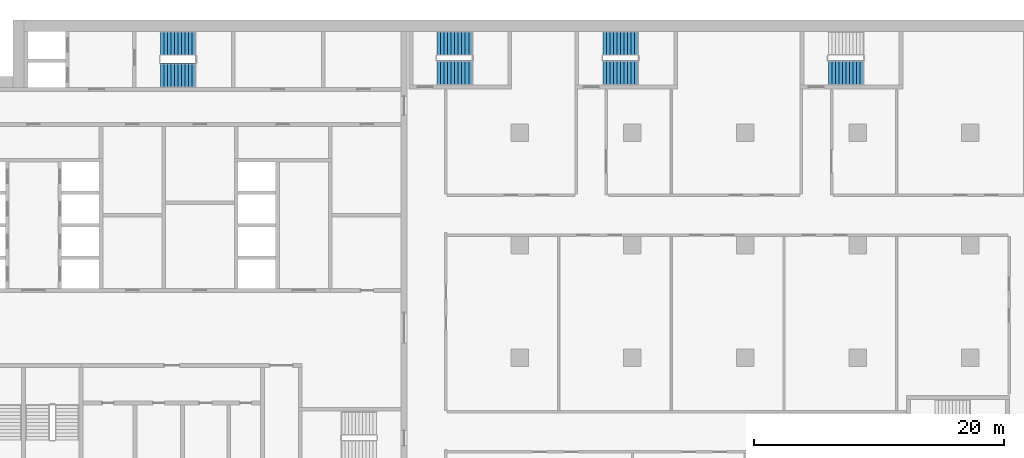
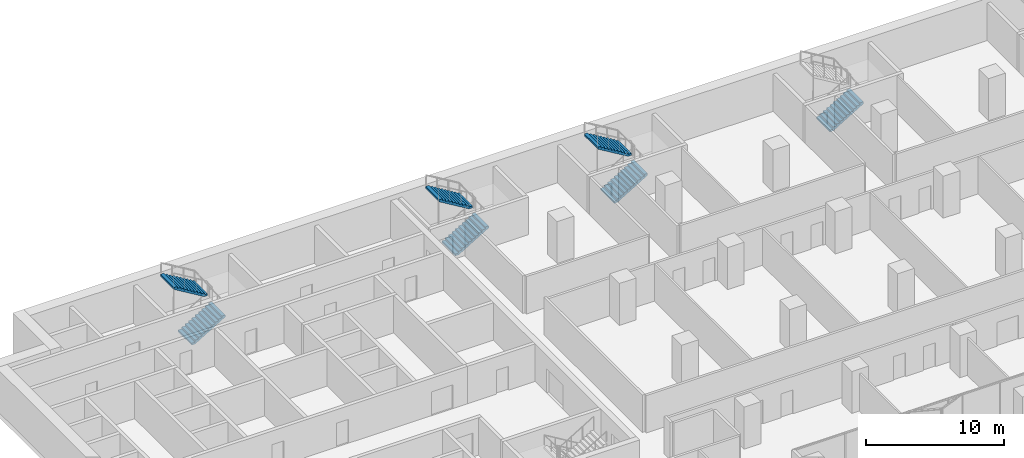
# One storey, part 21 of 28: 7 stair flights, 4 elements without a shape of their own.
"""IFC4 building model written with IfcOpenShell, lengths in metres."""

from ifc_helpers import new_model, si_unit, direction, frame, origin, place, context, subcontext, project, spatial, polyline, outline, extrude, material, type_object, element, aggregate, save


model = new_model("IFC4")

# Units and contexts
model_context = context("Model", 3, precision=1e-05, world=origin(), true_north=direction((0.0, 1.0)))
body_context = subcontext(model_context, "Body", "Model", "MODEL_VIEW")
ifc_project = project(units=[si_unit("LENGTHUNIT", "METRE"), si_unit("AREAUNIT", "SQUARE_METRE"), si_unit("VOLUMEUNIT", "CUBIC_METRE"), si_unit("PLANEANGLEUNIT", "RADIAN"), si_unit("MASSUNIT", "GRAM", prefix="KILO")], contexts=[model_context])

# Site, building, storey
site_placement = place(None, origin())
site = spatial("IfcSite", under=ifc_project, at=site_placement, CompositionType="ELEMENT")
building_placement = place(site_placement, origin())
building = spatial("IfcBuilding", under=site, at=building_placement, Name="Hunhe Ridgeline Campus", CompositionType="ELEMENT")
storey_placement = place(building_placement, frame((0.0, 0.0, 39.5)))
storey = spatial("IfcBuildingStorey", under=building, at=storey_placement, Name="L08", CompositionType="ELEMENT", Elevation=39.5)

# Stair, stair flights
ifc_material = material(Name="Concrete C40", Category="concrete")
stair_type = type_object("IfcStairType", Name="Reinforced concrete dog-leg stair 1950 Concrete C40", PredefinedType="HALF_TURN_STAIR", material=ifc_material)
stair_1_placement = place(storey_placement, origin())
stair_1 = element("IfcStair", 1, at=stair_1_placement, inside=storey, type_object=stair_type, Name="L08 S1", PredefinedType="HALF_TURN_STAIR")
stair_flight_type = type_object("IfcStairFlightType", Name="Reinforced concrete stair flight 1950 Concrete C40", PredefinedType="STRAIGHT", material=ifc_material)
stair_flight_1_placement = place(storey_placement, frame((16.300048828125, 94.574951171875, 0.0), z_axis=(0.0, 0.0, 1.0), x_axis=(1.0, 0.0, 0.0)))
stair_flight_1 = element("IfcStairFlight", 2, at=stair_flight_1_placement, type_object=stair_flight_type, Name="ST1 flight 1", NumberOfRisers=11, NumberOfTreads=10, PredefinedType="STRAIGHT", RiserHeight=0.168181818, TreadLength=0.28, context=body_context, shape_type="SweptSolid", body=[
    extrude(outline(polyline([(0.0, 0.0), (0.0, 0.168212890625), (0.280029296875, 0.168212890625), (0.280029296875, 0.33642578125), (0.56005859375, 0.33642578125), (0.56005859375, 0.504638671875), (0.840087890625, 0.504638671875), (0.840087890625, 0.672607421875), (1.1201171875, 0.672607421875), (1.1201171875, 0.8408203125), (1.39990234375, 0.8408203125), (1.39990234375, 1.009033203125), (1.679931640625, 1.009033203125), (1.679931640625, 1.17724609375), (1.9599609375, 1.17724609375), (1.9599609375, 1.345458984375), (2.239990234375, 1.345458984375), (2.239990234375, 1.513671875), (2.52001953125, 1.513671875), (2.52001953125, 1.681884765625), (2.800048828125, 1.681884765625), (2.800048828125, 1.85009765625), (2.800048828125, 1.5068359375), (0.291015625, 0.0), (0.0, 0.0)])), frame((0.0, 0.97509765625, 0.0), z_axis=(0.0, -1.0, 0.0), x_axis=(1.0, 0.0, 0.0)), (0.0, 0.0, 1.0), 1.949951171875),
    extrude(outline(polyline([(0.030029296875, 0.030029296875), (0.030029296875, 0.13818359375), (0.31005859375, 0.13818359375), (0.31005859375, 0.306396484375), (0.590087890625, 0.306396484375), (0.590087890625, 0.474609375), (0.8701171875, 0.474609375), (0.8701171875, 0.642578125), (1.14990234375, 0.642578125), (1.14990234375, 0.810791015625), (1.429931640625, 0.810791015625), (1.429931640625, 0.97900390625), (1.7099609375, 0.97900390625), (1.7099609375, 1.147216796875), (1.989990234375, 1.147216796875), (1.989990234375, 1.3154296875), (2.27001953125, 1.3154296875), (2.27001953125, 1.483642578125), (2.550048828125, 1.483642578125), (2.550048828125, 1.65185546875), (2.77001953125, 1.65185546875), (2.77001953125, 1.52392578125), (0.28271484375, 0.030029296875), (0.030029296875, 0.030029296875)])), frame((0.0, -0.070068359375, 0.0), z_axis=(0.0, -1.0, 0.0), x_axis=(1.0, 0.0, 0.0)), (0.0, 0.0, 1.0), 0.019775390625),
    extrude(outline(polyline([(0.030029296875, 0.030029296875), (0.030029296875, 0.13818359375), (0.31005859375, 0.13818359375), (0.31005859375, 0.306396484375), (0.590087890625, 0.306396484375), (0.590087890625, 0.474609375), (0.8701171875, 0.474609375), (0.8701171875, 0.642578125), (1.14990234375, 0.642578125), (1.14990234375, 0.810791015625), (1.429931640625, 0.810791015625), (1.429931640625, 0.97900390625), (1.7099609375, 0.97900390625), (1.7099609375, 1.147216796875), (1.989990234375, 1.147216796875), (1.989990234375, 1.3154296875), (2.27001953125, 1.3154296875), (2.27001953125, 1.483642578125), (2.550048828125, 1.483642578125), (2.550048828125, 1.65185546875), (2.77001953125, 1.65185546875), (2.77001953125, 1.52392578125), (0.28271484375, 0.030029296875), (0.030029296875, 0.030029296875)])), frame((0.0, 0.010009765625, 0.0), z_axis=(0.0, -1.0, 0.0), x_axis=(1.0, 0.0, 0.0)), (0.0, 0.0, 1.0), 0.019775390625),
    extrude(outline(polyline([(0.030029296875, 0.030029296875), (0.030029296875, 0.13818359375), (0.31005859375, 0.13818359375), (0.31005859375, 0.306396484375), (0.590087890625, 0.306396484375), (0.590087890625, 0.474609375), (0.8701171875, 0.474609375), (0.8701171875, 0.642578125), (1.14990234375, 0.642578125), (1.14990234375, 0.810791015625), (1.429931640625, 0.810791015625), (1.429931640625, 0.97900390625), (1.7099609375, 0.97900390625), (1.7099609375, 1.147216796875), (1.989990234375, 1.147216796875), (1.989990234375, 1.3154296875), (2.27001953125, 1.3154296875), (2.27001953125, 1.483642578125), (2.550048828125, 1.483642578125), (2.550048828125, 1.65185546875), (2.77001953125, 1.65185546875), (2.77001953125, 1.52392578125), (0.28271484375, 0.030029296875), (0.030029296875, 0.030029296875)])), frame((0.0, 0.090087890625, 0.0), z_axis=(0.0, -1.0, 0.0), x_axis=(1.0, 0.0, 0.0)), (0.0, 0.0, 1.0), 0.019775390625),
])
stair_flight_2_placement = place(storey_placement, frame((19.10009765625, 97.125, 1.85009765625), z_axis=(0.0, 0.0, 1.0), x_axis=(-1.0, 0.0, 0.0)))
stair_flight_2 = element("IfcStairFlight", 3, at=stair_flight_2_placement, type_object=stair_flight_type, Name="ST1 flight 2", NumberOfRisers=11, NumberOfTreads=10, PredefinedType="STRAIGHT", RiserHeight=0.168181818, TreadLength=0.28, context=body_context, shape_type="SweptSolid", body=[
    extrude(outline(polyline([(0.0, 0.0), (0.0, 0.168212890625), (0.280029296875, 0.168212890625), (0.280029296875, 0.33642578125), (0.56005859375, 0.33642578125), (0.56005859375, 0.504638671875), (0.840087890625, 0.504638671875), (0.840087890625, 0.672607421875), (1.1201171875, 0.672607421875), (1.1201171875, 0.8408203125), (1.39990234375, 0.8408203125), (1.39990234375, 1.009033203125), (1.679931640625, 1.009033203125), (1.679931640625, 1.17724609375), (1.9599609375, 1.17724609375), (1.9599609375, 1.345458984375), (2.239990234375, 1.345458984375), (2.239990234375, 1.513671875), (2.52001953125, 1.513671875), (2.52001953125, 1.681884765625), (2.800048828125, 1.681884765625), (2.800048828125, 1.85009765625), (2.800048828125, 1.5068359375), (0.291015625, 0.0), (0.0, 0.0)])), frame((0.0, 0.97509765625, 0.0), z_axis=(0.0, -1.0, 0.0), x_axis=(1.0, 0.0, 0.0)), (0.0, 0.0, 1.0), 1.949951171875),
    extrude(outline(polyline([(0.030029296875, 0.030029296875), (0.030029296875, 0.13818359375), (0.31005859375, 0.13818359375), (0.31005859375, 0.306396484375), (0.590087890625, 0.306396484375), (0.590087890625, 0.474609375), (0.8701171875, 0.474609375), (0.8701171875, 0.642578125), (1.14990234375, 0.642578125), (1.14990234375, 0.810791015625), (1.429931640625, 0.810791015625), (1.429931640625, 0.97900390625), (1.7099609375, 0.97900390625), (1.7099609375, 1.147216796875), (1.989990234375, 1.147216796875), (1.989990234375, 1.3154296875), (2.27001953125, 1.3154296875), (2.27001953125, 1.483642578125), (2.550048828125, 1.483642578125), (2.550048828125, 1.65185546875), (2.77001953125, 1.65185546875), (2.77001953125, 1.52392578125), (0.28271484375, 0.030029296875), (0.030029296875, 0.030029296875)])), frame((0.0, -0.070068359375, 0.0), z_axis=(0.0, -1.0, 0.0), x_axis=(1.0, 0.0, 0.0)), (0.0, 0.0, 1.0), 0.019775390625),
    extrude(outline(polyline([(0.030029296875, 0.030029296875), (0.030029296875, 0.13818359375), (0.31005859375, 0.13818359375), (0.31005859375, 0.306396484375), (0.590087890625, 0.306396484375), (0.590087890625, 0.474609375), (0.8701171875, 0.474609375), (0.8701171875, 0.642578125), (1.14990234375, 0.642578125), (1.14990234375, 0.810791015625), (1.429931640625, 0.810791015625), (1.429931640625, 0.97900390625), (1.7099609375, 0.97900390625), (1.7099609375, 1.147216796875), (1.989990234375, 1.147216796875), (1.989990234375, 1.3154296875), (2.27001953125, 1.3154296875), (2.27001953125, 1.483642578125), (2.550048828125, 1.483642578125), (2.550048828125, 1.65185546875), (2.77001953125, 1.65185546875), (2.77001953125, 1.52392578125), (0.28271484375, 0.030029296875), (0.030029296875, 0.030029296875)])), frame((0.0, 0.010009765625, 0.0), z_axis=(0.0, -1.0, 0.0), x_axis=(1.0, 0.0, 0.0)), (0.0, 0.0, 1.0), 0.019775390625),
    extrude(outline(polyline([(0.030029296875, 0.030029296875), (0.030029296875, 0.13818359375), (0.31005859375, 0.13818359375), (0.31005859375, 0.306396484375), (0.590087890625, 0.306396484375), (0.590087890625, 0.474609375), (0.8701171875, 0.474609375), (0.8701171875, 0.642578125), (1.14990234375, 0.642578125), (1.14990234375, 0.810791015625), (1.429931640625, 0.810791015625), (1.429931640625, 0.97900390625), (1.7099609375, 0.97900390625), (1.7099609375, 1.147216796875), (1.989990234375, 1.147216796875), (1.989990234375, 1.3154296875), (2.27001953125, 1.3154296875), (2.27001953125, 1.483642578125), (2.550048828125, 1.483642578125), (2.550048828125, 1.65185546875), (2.77001953125, 1.65185546875), (2.77001953125, 1.52392578125), (0.28271484375, 0.030029296875), (0.030029296875, 0.030029296875)])), frame((0.0, 0.090087890625, 0.0), z_axis=(0.0, -1.0, 0.0), x_axis=(1.0, 0.0, 0.0)), (0.0, 0.0, 1.0), 0.019775390625),
])
aggregate(stair_1, [stair_flight_1, stair_flight_2])

stair_2_placement = place(storey_placement, origin())
stair_2 = element("IfcStair", 4, at=stair_2_placement, inside=storey, type_object=stair_type, Name="L08 E1", PredefinedType="HALF_TURN_STAIR")
stair_flight_3_placement = place(storey_placement, frame((38.39990234375, 94.77490234375, 0.0), z_axis=(0.0, 0.0, 1.0), x_axis=(1.0, 0.0, 0.0)))
stair_flight_3 = element("IfcStairFlight", 5, at=stair_flight_3_placement, type_object=stair_flight_type, Name="ST5 flight 1", NumberOfRisers=11, NumberOfTreads=10, PredefinedType="STRAIGHT", RiserHeight=0.168181818, TreadLength=0.28, context=body_context, shape_type="SweptSolid", body=[
    extrude(outline(polyline([(0.0, 0.0), (0.0, 0.168212890625), (0.280029296875, 0.168212890625), (0.280029296875, 0.33642578125), (0.56005859375, 0.33642578125), (0.56005859375, 0.504638671875), (0.840087890625, 0.504638671875), (0.840087890625, 0.672607421875), (1.1201171875, 0.672607421875), (1.1201171875, 0.8408203125), (1.39990234375, 0.8408203125), (1.39990234375, 1.009033203125), (1.679931640625, 1.009033203125), (1.679931640625, 1.17724609375), (1.9599609375, 1.17724609375), (1.9599609375, 1.345458984375), (2.239990234375, 1.345458984375), (2.239990234375, 1.513671875), (2.52001953125, 1.513671875), (2.52001953125, 1.681884765625), (2.800048828125, 1.681884765625), (2.800048828125, 1.85009765625), (2.800048828125, 1.5068359375), (0.291015625, 0.0), (0.0, 0.0)])), frame((0.0, 0.97509765625, 0.0), z_axis=(0.0, -1.0, 0.0), x_axis=(1.0, 0.0, 0.0)), (0.0, 0.0, 1.0), 1.949951171875),
    extrude(outline(polyline([(0.030029296875, 0.030029296875), (0.030029296875, 0.13818359375), (0.31005859375, 0.13818359375), (0.31005859375, 0.306396484375), (0.590087890625, 0.306396484375), (0.590087890625, 0.474609375), (0.8701171875, 0.474609375), (0.8701171875, 0.642578125), (1.14990234375, 0.642578125), (1.14990234375, 0.810791015625), (1.429931640625, 0.810791015625), (1.429931640625, 0.97900390625), (1.7099609375, 0.97900390625), (1.7099609375, 1.147216796875), (1.989990234375, 1.147216796875), (1.989990234375, 1.3154296875), (2.27001953125, 1.3154296875), (2.27001953125, 1.483642578125), (2.550048828125, 1.483642578125), (2.550048828125, 1.65185546875), (2.77001953125, 1.65185546875), (2.77001953125, 1.52392578125), (0.28271484375, 0.030029296875), (0.030029296875, 0.030029296875)])), frame((0.0, -0.070068359375, 0.0), z_axis=(0.0, -1.0, 0.0), x_axis=(1.0, 0.0, 0.0)), (0.0, 0.0, 1.0), 0.019775390625),
    extrude(outline(polyline([(0.030029296875, 0.030029296875), (0.030029296875, 0.13818359375), (0.31005859375, 0.13818359375), (0.31005859375, 0.306396484375), (0.590087890625, 0.306396484375), (0.590087890625, 0.474609375), (0.8701171875, 0.474609375), (0.8701171875, 0.642578125), (1.14990234375, 0.642578125), (1.14990234375, 0.810791015625), (1.429931640625, 0.810791015625), (1.429931640625, 0.97900390625), (1.7099609375, 0.97900390625), (1.7099609375, 1.147216796875), (1.989990234375, 1.147216796875), (1.989990234375, 1.3154296875), (2.27001953125, 1.3154296875), (2.27001953125, 1.483642578125), (2.550048828125, 1.483642578125), (2.550048828125, 1.65185546875), (2.77001953125, 1.65185546875), (2.77001953125, 1.52392578125), (0.28271484375, 0.030029296875), (0.030029296875, 0.030029296875)])), frame((0.0, 0.010009765625, 0.0), z_axis=(0.0, -1.0, 0.0), x_axis=(1.0, 0.0, 0.0)), (0.0, 0.0, 1.0), 0.019775390625),
    extrude(outline(polyline([(0.030029296875, 0.030029296875), (0.030029296875, 0.13818359375), (0.31005859375, 0.13818359375), (0.31005859375, 0.306396484375), (0.590087890625, 0.306396484375), (0.590087890625, 0.474609375), (0.8701171875, 0.474609375), (0.8701171875, 0.642578125), (1.14990234375, 0.642578125), (1.14990234375, 0.810791015625), (1.429931640625, 0.810791015625), (1.429931640625, 0.97900390625), (1.7099609375, 0.97900390625), (1.7099609375, 1.147216796875), (1.989990234375, 1.147216796875), (1.989990234375, 1.3154296875), (2.27001953125, 1.3154296875), (2.27001953125, 1.483642578125), (2.550048828125, 1.483642578125), (2.550048828125, 1.65185546875), (2.77001953125, 1.65185546875), (2.77001953125, 1.52392578125), (0.28271484375, 0.030029296875), (0.030029296875, 0.030029296875)])), frame((0.0, 0.090087890625, 0.0), z_axis=(0.0, -1.0, 0.0), x_axis=(1.0, 0.0, 0.0)), (0.0, 0.0, 1.0), 0.019775390625),
])
stair_flight_4_placement = place(storey_placement, frame((41.199951171875, 97.125, 1.85009765625), z_axis=(0.0, 0.0, 1.0), x_axis=(-1.0, 0.0, 0.0)))
stair_flight_4 = element("IfcStairFlight", 6, at=stair_flight_4_placement, type_object=stair_flight_type, Name="ST5 flight 2", NumberOfRisers=11, NumberOfTreads=10, PredefinedType="STRAIGHT", RiserHeight=0.168181818, TreadLength=0.28, context=body_context, shape_type="SweptSolid", body=[
    extrude(outline(polyline([(0.0, 0.0), (0.0, 0.168212890625), (0.280029296875, 0.168212890625), (0.280029296875, 0.33642578125), (0.56005859375, 0.33642578125), (0.56005859375, 0.504638671875), (0.840087890625, 0.504638671875), (0.840087890625, 0.672607421875), (1.1201171875, 0.672607421875), (1.1201171875, 0.8408203125), (1.39990234375, 0.8408203125), (1.39990234375, 1.009033203125), (1.679931640625, 1.009033203125), (1.679931640625, 1.17724609375), (1.9599609375, 1.17724609375), (1.9599609375, 1.345458984375), (2.239990234375, 1.345458984375), (2.239990234375, 1.513671875), (2.52001953125, 1.513671875), (2.52001953125, 1.681884765625), (2.800048828125, 1.681884765625), (2.800048828125, 1.85009765625), (2.800048828125, 1.5068359375), (0.291015625, 0.0), (0.0, 0.0)])), frame((0.0, 0.97509765625, 0.0), z_axis=(0.0, -1.0, 0.0), x_axis=(1.0, 0.0, 0.0)), (0.0, 0.0, 1.0), 1.949951171875),
    extrude(outline(polyline([(0.030029296875, 0.030029296875), (0.030029296875, 0.13818359375), (0.31005859375, 0.13818359375), (0.31005859375, 0.306396484375), (0.590087890625, 0.306396484375), (0.590087890625, 0.474609375), (0.8701171875, 0.474609375), (0.8701171875, 0.642578125), (1.14990234375, 0.642578125), (1.14990234375, 0.810791015625), (1.429931640625, 0.810791015625), (1.429931640625, 0.97900390625), (1.7099609375, 0.97900390625), (1.7099609375, 1.147216796875), (1.989990234375, 1.147216796875), (1.989990234375, 1.3154296875), (2.27001953125, 1.3154296875), (2.27001953125, 1.483642578125), (2.550048828125, 1.483642578125), (2.550048828125, 1.65185546875), (2.77001953125, 1.65185546875), (2.77001953125, 1.52392578125), (0.28271484375, 0.030029296875), (0.030029296875, 0.030029296875)])), frame((0.0, -0.070068359375, 0.0), z_axis=(0.0, -1.0, 0.0), x_axis=(1.0, 0.0, 0.0)), (0.0, 0.0, 1.0), 0.019775390625),
    extrude(outline(polyline([(0.030029296875, 0.030029296875), (0.030029296875, 0.13818359375), (0.31005859375, 0.13818359375), (0.31005859375, 0.306396484375), (0.590087890625, 0.306396484375), (0.590087890625, 0.474609375), (0.8701171875, 0.474609375), (0.8701171875, 0.642578125), (1.14990234375, 0.642578125), (1.14990234375, 0.810791015625), (1.429931640625, 0.810791015625), (1.429931640625, 0.97900390625), (1.7099609375, 0.97900390625), (1.7099609375, 1.147216796875), (1.989990234375, 1.147216796875), (1.989990234375, 1.3154296875), (2.27001953125, 1.3154296875), (2.27001953125, 1.483642578125), (2.550048828125, 1.483642578125), (2.550048828125, 1.65185546875), (2.77001953125, 1.65185546875), (2.77001953125, 1.52392578125), (0.28271484375, 0.030029296875), (0.030029296875, 0.030029296875)])), frame((0.0, 0.010009765625, 0.0), z_axis=(0.0, -1.0, 0.0), x_axis=(1.0, 0.0, 0.0)), (0.0, 0.0, 1.0), 0.019775390625),
    extrude(outline(polyline([(0.030029296875, 0.030029296875), (0.030029296875, 0.13818359375), (0.31005859375, 0.13818359375), (0.31005859375, 0.306396484375), (0.590087890625, 0.306396484375), (0.590087890625, 0.474609375), (0.8701171875, 0.474609375), (0.8701171875, 0.642578125), (1.14990234375, 0.642578125), (1.14990234375, 0.810791015625), (1.429931640625, 0.810791015625), (1.429931640625, 0.97900390625), (1.7099609375, 0.97900390625), (1.7099609375, 1.147216796875), (1.989990234375, 1.147216796875), (1.989990234375, 1.3154296875), (2.27001953125, 1.3154296875), (2.27001953125, 1.483642578125), (2.550048828125, 1.483642578125), (2.550048828125, 1.65185546875), (2.77001953125, 1.65185546875), (2.77001953125, 1.52392578125), (0.28271484375, 0.030029296875), (0.030029296875, 0.030029296875)])), frame((0.0, 0.090087890625, 0.0), z_axis=(0.0, -1.0, 0.0), x_axis=(1.0, 0.0, 0.0)), (0.0, 0.0, 1.0), 0.019775390625),
])
aggregate(stair_2, [stair_flight_3, stair_flight_4])

stair_3_placement = place(storey_placement, origin())
stair_3 = element("IfcStair", 7, at=stair_3_placement, inside=storey, type_object=stair_type, Name="L08 E2", PredefinedType="HALF_TURN_STAIR")
stair_flight_5_placement = place(storey_placement, frame((51.64990234375, 94.77490234375, 0.0), z_axis=(0.0, 0.0, 1.0), x_axis=(1.0, 0.0, 0.0)))
stair_flight_5 = element("IfcStairFlight", 8, at=stair_flight_5_placement, type_object=stair_flight_type, Name="ST6 flight 1", NumberOfRisers=11, NumberOfTreads=10, PredefinedType="STRAIGHT", RiserHeight=0.168181818, TreadLength=0.28, context=body_context, shape_type="SweptSolid", body=[
    extrude(outline(polyline([(0.0, 0.0), (0.0, 0.168212890625), (0.280029296875, 0.168212890625), (0.280029296875, 0.33642578125), (0.56005859375, 0.33642578125), (0.56005859375, 0.504638671875), (0.840087890625, 0.504638671875), (0.840087890625, 0.672607421875), (1.1201171875, 0.672607421875), (1.1201171875, 0.8408203125), (1.39990234375, 0.8408203125), (1.39990234375, 1.009033203125), (1.679931640625, 1.009033203125), (1.679931640625, 1.17724609375), (1.9599609375, 1.17724609375), (1.9599609375, 1.345458984375), (2.239990234375, 1.345458984375), (2.239990234375, 1.513671875), (2.52001953125, 1.513671875), (2.52001953125, 1.681884765625), (2.800048828125, 1.681884765625), (2.800048828125, 1.85009765625), (2.800048828125, 1.5068359375), (0.291015625, 0.0), (0.0, 0.0)])), frame((0.0, 0.97509765625, 0.0), z_axis=(0.0, -1.0, 0.0), x_axis=(1.0, 0.0, 0.0)), (0.0, 0.0, 1.0), 1.949951171875),
    extrude(outline(polyline([(0.030029296875, 0.030029296875), (0.030029296875, 0.13818359375), (0.31005859375, 0.13818359375), (0.31005859375, 0.306396484375), (0.590087890625, 0.306396484375), (0.590087890625, 0.474609375), (0.8701171875, 0.474609375), (0.8701171875, 0.642578125), (1.14990234375, 0.642578125), (1.14990234375, 0.810791015625), (1.429931640625, 0.810791015625), (1.429931640625, 0.97900390625), (1.7099609375, 0.97900390625), (1.7099609375, 1.147216796875), (1.989990234375, 1.147216796875), (1.989990234375, 1.3154296875), (2.27001953125, 1.3154296875), (2.27001953125, 1.483642578125), (2.550048828125, 1.483642578125), (2.550048828125, 1.65185546875), (2.77001953125, 1.65185546875), (2.77001953125, 1.52392578125), (0.28271484375, 0.030029296875), (0.030029296875, 0.030029296875)])), frame((0.0, -0.070068359375, 0.0), z_axis=(0.0, -1.0, 0.0), x_axis=(1.0, 0.0, 0.0)), (0.0, 0.0, 1.0), 0.019775390625),
    extrude(outline(polyline([(0.030029296875, 0.030029296875), (0.030029296875, 0.13818359375), (0.31005859375, 0.13818359375), (0.31005859375, 0.306396484375), (0.590087890625, 0.306396484375), (0.590087890625, 0.474609375), (0.8701171875, 0.474609375), (0.8701171875, 0.642578125), (1.14990234375, 0.642578125), (1.14990234375, 0.810791015625), (1.429931640625, 0.810791015625), (1.429931640625, 0.97900390625), (1.7099609375, 0.97900390625), (1.7099609375, 1.147216796875), (1.989990234375, 1.147216796875), (1.989990234375, 1.3154296875), (2.27001953125, 1.3154296875), (2.27001953125, 1.483642578125), (2.550048828125, 1.483642578125), (2.550048828125, 1.65185546875), (2.77001953125, 1.65185546875), (2.77001953125, 1.52392578125), (0.28271484375, 0.030029296875), (0.030029296875, 0.030029296875)])), frame((0.0, 0.010009765625, 0.0), z_axis=(0.0, -1.0, 0.0), x_axis=(1.0, 0.0, 0.0)), (0.0, 0.0, 1.0), 0.019775390625),
    extrude(outline(polyline([(0.030029296875, 0.030029296875), (0.030029296875, 0.13818359375), (0.31005859375, 0.13818359375), (0.31005859375, 0.306396484375), (0.590087890625, 0.306396484375), (0.590087890625, 0.474609375), (0.8701171875, 0.474609375), (0.8701171875, 0.642578125), (1.14990234375, 0.642578125), (1.14990234375, 0.810791015625), (1.429931640625, 0.810791015625), (1.429931640625, 0.97900390625), (1.7099609375, 0.97900390625), (1.7099609375, 1.147216796875), (1.989990234375, 1.147216796875), (1.989990234375, 1.3154296875), (2.27001953125, 1.3154296875), (2.27001953125, 1.483642578125), (2.550048828125, 1.483642578125), (2.550048828125, 1.65185546875), (2.77001953125, 1.65185546875), (2.77001953125, 1.52392578125), (0.28271484375, 0.030029296875), (0.030029296875, 0.030029296875)])), frame((0.0, 0.090087890625, 0.0), z_axis=(0.0, -1.0, 0.0), x_axis=(1.0, 0.0, 0.0)), (0.0, 0.0, 1.0), 0.019775390625),
])
stair_flight_6_placement = place(storey_placement, frame((54.449951171875, 97.125, 1.85009765625), z_axis=(0.0, 0.0, 1.0), x_axis=(-1.0, 0.0, 0.0)))
stair_flight_6 = element("IfcStairFlight", 9, at=stair_flight_6_placement, type_object=stair_flight_type, Name="ST6 flight 2", NumberOfRisers=11, NumberOfTreads=10, PredefinedType="STRAIGHT", RiserHeight=0.168181818, TreadLength=0.28, context=body_context, shape_type="SweptSolid", body=[
    extrude(outline(polyline([(0.0, 0.0), (0.0, 0.168212890625), (0.280029296875, 0.168212890625), (0.280029296875, 0.33642578125), (0.56005859375, 0.33642578125), (0.56005859375, 0.504638671875), (0.840087890625, 0.504638671875), (0.840087890625, 0.672607421875), (1.1201171875, 0.672607421875), (1.1201171875, 0.8408203125), (1.39990234375, 0.8408203125), (1.39990234375, 1.009033203125), (1.679931640625, 1.009033203125), (1.679931640625, 1.17724609375), (1.9599609375, 1.17724609375), (1.9599609375, 1.345458984375), (2.239990234375, 1.345458984375), (2.239990234375, 1.513671875), (2.52001953125, 1.513671875), (2.52001953125, 1.681884765625), (2.800048828125, 1.681884765625), (2.800048828125, 1.85009765625), (2.800048828125, 1.5068359375), (0.291015625, 0.0), (0.0, 0.0)])), frame((0.0, 0.97509765625, 0.0), z_axis=(0.0, -1.0, 0.0), x_axis=(1.0, 0.0, 0.0)), (0.0, 0.0, 1.0), 1.949951171875),
    extrude(outline(polyline([(0.030029296875, 0.030029296875), (0.030029296875, 0.13818359375), (0.31005859375, 0.13818359375), (0.31005859375, 0.306396484375), (0.590087890625, 0.306396484375), (0.590087890625, 0.474609375), (0.8701171875, 0.474609375), (0.8701171875, 0.642578125), (1.14990234375, 0.642578125), (1.14990234375, 0.810791015625), (1.429931640625, 0.810791015625), (1.429931640625, 0.97900390625), (1.7099609375, 0.97900390625), (1.7099609375, 1.147216796875), (1.989990234375, 1.147216796875), (1.989990234375, 1.3154296875), (2.27001953125, 1.3154296875), (2.27001953125, 1.483642578125), (2.550048828125, 1.483642578125), (2.550048828125, 1.65185546875), (2.77001953125, 1.65185546875), (2.77001953125, 1.52392578125), (0.28271484375, 0.030029296875), (0.030029296875, 0.030029296875)])), frame((0.0, -0.070068359375, 0.0), z_axis=(0.0, -1.0, 0.0), x_axis=(1.0, 0.0, 0.0)), (0.0, 0.0, 1.0), 0.019775390625),
    extrude(outline(polyline([(0.030029296875, 0.030029296875), (0.030029296875, 0.13818359375), (0.31005859375, 0.13818359375), (0.31005859375, 0.306396484375), (0.590087890625, 0.306396484375), (0.590087890625, 0.474609375), (0.8701171875, 0.474609375), (0.8701171875, 0.642578125), (1.14990234375, 0.642578125), (1.14990234375, 0.810791015625), (1.429931640625, 0.810791015625), (1.429931640625, 0.97900390625), (1.7099609375, 0.97900390625), (1.7099609375, 1.147216796875), (1.989990234375, 1.147216796875), (1.989990234375, 1.3154296875), (2.27001953125, 1.3154296875), (2.27001953125, 1.483642578125), (2.550048828125, 1.483642578125), (2.550048828125, 1.65185546875), (2.77001953125, 1.65185546875), (2.77001953125, 1.52392578125), (0.28271484375, 0.030029296875), (0.030029296875, 0.030029296875)])), frame((0.0, 0.010009765625, 0.0), z_axis=(0.0, -1.0, 0.0), x_axis=(1.0, 0.0, 0.0)), (0.0, 0.0, 1.0), 0.019775390625),
    extrude(outline(polyline([(0.030029296875, 0.030029296875), (0.030029296875, 0.13818359375), (0.31005859375, 0.13818359375), (0.31005859375, 0.306396484375), (0.590087890625, 0.306396484375), (0.590087890625, 0.474609375), (0.8701171875, 0.474609375), (0.8701171875, 0.642578125), (1.14990234375, 0.642578125), (1.14990234375, 0.810791015625), (1.429931640625, 0.810791015625), (1.429931640625, 0.97900390625), (1.7099609375, 0.97900390625), (1.7099609375, 1.147216796875), (1.989990234375, 1.147216796875), (1.989990234375, 1.3154296875), (2.27001953125, 1.3154296875), (2.27001953125, 1.483642578125), (2.550048828125, 1.483642578125), (2.550048828125, 1.65185546875), (2.77001953125, 1.65185546875), (2.77001953125, 1.52392578125), (0.28271484375, 0.030029296875), (0.030029296875, 0.030029296875)])), frame((0.0, 0.090087890625, 0.0), z_axis=(0.0, -1.0, 0.0), x_axis=(1.0, 0.0, 0.0)), (0.0, 0.0, 1.0), 0.019775390625),
])
aggregate(stair_3, [stair_flight_5, stair_flight_6])

# Stair, stair flight
stair_4_placement = place(storey_placement, origin())
stair_4 = element("IfcStair", 10, at=stair_4_placement, inside=storey, type_object=stair_type, Name="L08 E3", PredefinedType="HALF_TURN_STAIR")
stair_flight_7_placement = place(storey_placement, frame((69.64990234375, 94.77490234375, 0.0), z_axis=(0.0, 0.0, 1.0), x_axis=(1.0, 0.0, 0.0)))
stair_flight_7 = element("IfcStairFlight", 11, at=stair_flight_7_placement, type_object=stair_flight_type, Name="ST7 flight 1", NumberOfRisers=11, NumberOfTreads=10, PredefinedType="STRAIGHT", RiserHeight=0.168181818, TreadLength=0.28, context=body_context, shape_type="SweptSolid", body=[
    extrude(outline(polyline([(0.0, 0.0), (0.0, 0.168212890625), (0.280029296875, 0.168212890625), (0.280029296875, 0.33642578125), (0.56005859375, 0.33642578125), (0.56005859375, 0.504638671875), (0.840087890625, 0.504638671875), (0.840087890625, 0.672607421875), (1.1201171875, 0.672607421875), (1.1201171875, 0.8408203125), (1.39990234375, 0.8408203125), (1.39990234375, 1.009033203125), (1.679931640625, 1.009033203125), (1.679931640625, 1.17724609375), (1.9599609375, 1.17724609375), (1.9599609375, 1.345458984375), (2.239990234375, 1.345458984375), (2.239990234375, 1.513671875), (2.52001953125, 1.513671875), (2.52001953125, 1.681884765625), (2.800048828125, 1.681884765625), (2.800048828125, 1.85009765625), (2.800048828125, 1.5068359375), (0.291015625, 0.0), (0.0, 0.0)])), frame((0.0, 0.97509765625, 0.0), z_axis=(0.0, -1.0, 0.0), x_axis=(1.0, 0.0, 0.0)), (0.0, 0.0, 1.0), 1.949951171875),
    extrude(outline(polyline([(0.030029296875, 0.030029296875), (0.030029296875, 0.13818359375), (0.31005859375, 0.13818359375), (0.31005859375, 0.306396484375), (0.590087890625, 0.306396484375), (0.590087890625, 0.474609375), (0.8701171875, 0.474609375), (0.8701171875, 0.642578125), (1.14990234375, 0.642578125), (1.14990234375, 0.810791015625), (1.429931640625, 0.810791015625), (1.429931640625, 0.97900390625), (1.7099609375, 0.97900390625), (1.7099609375, 1.147216796875), (1.989990234375, 1.147216796875), (1.989990234375, 1.3154296875), (2.27001953125, 1.3154296875), (2.27001953125, 1.483642578125), (2.550048828125, 1.483642578125), (2.550048828125, 1.65185546875), (2.77001953125, 1.65185546875), (2.77001953125, 1.52392578125), (0.28271484375, 0.030029296875), (0.030029296875, 0.030029296875)])), frame((0.0, -0.070068359375, 0.0), z_axis=(0.0, -1.0, 0.0), x_axis=(1.0, 0.0, 0.0)), (0.0, 0.0, 1.0), 0.019775390625),
    extrude(outline(polyline([(0.030029296875, 0.030029296875), (0.030029296875, 0.13818359375), (0.31005859375, 0.13818359375), (0.31005859375, 0.306396484375), (0.590087890625, 0.306396484375), (0.590087890625, 0.474609375), (0.8701171875, 0.474609375), (0.8701171875, 0.642578125), (1.14990234375, 0.642578125), (1.14990234375, 0.810791015625), (1.429931640625, 0.810791015625), (1.429931640625, 0.97900390625), (1.7099609375, 0.97900390625), (1.7099609375, 1.147216796875), (1.989990234375, 1.147216796875), (1.989990234375, 1.3154296875), (2.27001953125, 1.3154296875), (2.27001953125, 1.483642578125), (2.550048828125, 1.483642578125), (2.550048828125, 1.65185546875), (2.77001953125, 1.65185546875), (2.77001953125, 1.52392578125), (0.28271484375, 0.030029296875), (0.030029296875, 0.030029296875)])), frame((0.0, 0.010009765625, 0.0), z_axis=(0.0, -1.0, 0.0), x_axis=(1.0, 0.0, 0.0)), (0.0, 0.0, 1.0), 0.019775390625),
    extrude(outline(polyline([(0.030029296875, 0.030029296875), (0.030029296875, 0.13818359375), (0.31005859375, 0.13818359375), (0.31005859375, 0.306396484375), (0.590087890625, 0.306396484375), (0.590087890625, 0.474609375), (0.8701171875, 0.474609375), (0.8701171875, 0.642578125), (1.14990234375, 0.642578125), (1.14990234375, 0.810791015625), (1.429931640625, 0.810791015625), (1.429931640625, 0.97900390625), (1.7099609375, 0.97900390625), (1.7099609375, 1.147216796875), (1.989990234375, 1.147216796875), (1.989990234375, 1.3154296875), (2.27001953125, 1.3154296875), (2.27001953125, 1.483642578125), (2.550048828125, 1.483642578125), (2.550048828125, 1.65185546875), (2.77001953125, 1.65185546875), (2.77001953125, 1.52392578125), (0.28271484375, 0.030029296875), (0.030029296875, 0.030029296875)])), frame((0.0, 0.090087890625, 0.0), z_axis=(0.0, -1.0, 0.0), x_axis=(1.0, 0.0, 0.0)), (0.0, 0.0, 1.0), 0.019775390625),
])
aggregate(stair_4, [stair_flight_7])

save(model, "model.ifc")
